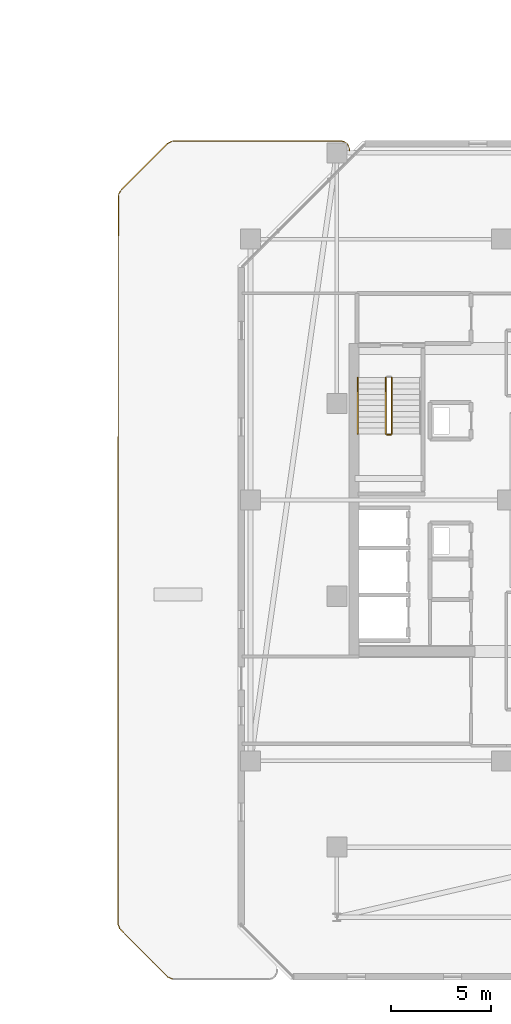
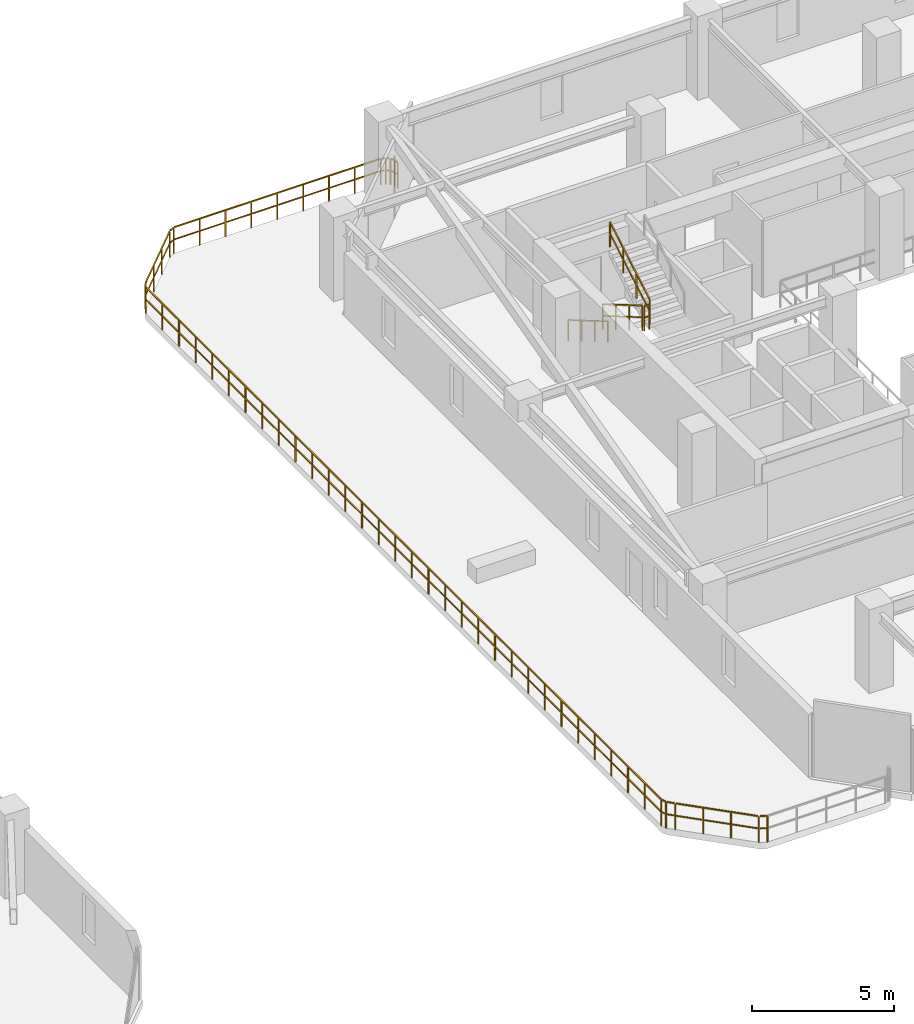
# One storey, part 28 of 29: 5 railings.
"""IFC4 building model written with IfcOpenShell, lengths in metres."""

from ifc_helpers import new_model, si_unit, direction, frame, origin, origin_2d, place, context, subcontext, project, spatial, rectangle, extrude, material, type_object, element, save


model = new_model("IFC4")

# Units and contexts
model_context = context("Model", 3, precision=1e-05, world=origin(), true_north=direction((0.0, 1.0)))
body_context = subcontext(model_context, "Body", "Model", "MODEL_VIEW")
ifc_project = project(units=[si_unit("LENGTHUNIT", "METRE"), si_unit("AREAUNIT", "SQUARE_METRE"), si_unit("VOLUMEUNIT", "CUBIC_METRE"), si_unit("PLANEANGLEUNIT", "RADIAN"), si_unit("MASSUNIT", "GRAM", prefix="KILO")], contexts=[model_context])

# Site, building, storey
site_placement = place(None, origin())
site = spatial("IfcSite", under=ifc_project, at=site_placement, CompositionType="ELEMENT")
building_placement = place(site_placement, origin())
building = spatial("IfcBuilding", under=site, at=building_placement, Name="Thornwick Lancets Civic Towers", CompositionType="ELEMENT")
storey_placement = place(building_placement, frame((0.0, 0.0, 229.5)))
storey = spatial("IfcBuildingStorey", under=building, at=storey_placement, Name="L61", CompositionType="ELEMENT", Elevation=229.5)

# Railings
ifc_material_1 = material(Name="Brushed stainless steel S355", Category="steel")
railing_type_1 = type_object("IfcRailingType", Name="RAIL_HANDRAIL", PredefinedType="HANDRAIL", material=ifc_material_1)
railing_1_placement = place(storey_placement, frame((76.550048828125, 33.10009765625, 0.16357421875)))
element("IfcRailing", 1, at=railing_1_placement, inside=storey, type_object=railing_type_1, Name="L61 ST-B2 stair handrail 1", PredefinedType="HANDRAIL", context=body_context, shape_type="SweptSolid", body=[
    extrude(rectangle(XDim=0.048095703125, YDim=0.048095703125, at=origin_2d()), frame((0.0, 0.0, 0.8857421875), z_axis=(0.0, -0.863360870873, 0.504586966384), x_axis=(1.0, 0.0, 0.0)), (0.0, 0.0, 1.0), 3.2431640625),
    extrude(rectangle(XDim=0.0419921875, YDim=0.0419921875, at=origin_2d()), origin(), (0.0, 0.0, 1.0), 0.855712890625),
    extrude(rectangle(XDim=0.0419921875, YDim=0.0419921875, at=origin_2d()), frame((0.0, -0.933349609375, 0.54541015625)), (0.0, 0.0, 1.0), 0.855712890625),
    extrude(rectangle(XDim=0.0419921875, YDim=0.0419921875, at=origin_2d()), frame((0.0, -1.86669921875, 1.091064453125)), (0.0, 0.0, 1.0), 0.855712890625),
    extrude(rectangle(XDim=0.0419921875, YDim=0.0419921875, at=origin_2d()), frame((0.0, -2.800048828125, 1.636474609375)), (0.0, 0.0, 1.0), 0.855712890625),
])
ifc_material_2 = material(Name="Steel S355JR", Category="steel")
railing_type_2 = type_object("IfcRailingType", Name="RAIL_STAIR_GUARD", PredefinedType="GUARDRAIL", material=ifc_material_2)
railing_2_placement = place(storey_placement, frame((77.949951171875, 33.10009765625, 0.16357421875)))
element("IfcRailing", 2, at=railing_2_placement, inside=storey, type_object=railing_type_2, Name="L61 ST-B2 stair guard 1", PredefinedType="GUARDRAIL", context=body_context, shape_type="SweptSolid", body=[
    extrude(rectangle(XDim=0.048095703125, YDim=0.048095703125, at=origin_2d()), frame((0.0, 0.0, 1.076171875), z_axis=(0.0, -0.863360870873, 0.504586966384), x_axis=(1.0, 0.0, 0.0)), (0.0, 0.0, 1.0), 3.2431640625),
    extrude(rectangle(XDim=0.0419921875, YDim=0.0419921875, at=origin_2d()), frame((0.0, -0.032470703125, 0.591064453125), z_axis=(0.0, -0.863360870873, 0.504586966384), x_axis=(1.0, 0.0, 0.0)), (0.0, 0.0, 1.0), 1.006103515625),
    extrude(rectangle(XDim=0.0419921875, YDim=0.0419921875, at=origin_2d()), frame((0.0, -0.9658203125, 1.136474609375), z_axis=(0.0, -0.863360870873, 0.504586966384), x_axis=(1.0, 0.0, 0.0)), (0.0, 0.0, 1.0), 1.006103515625),
    extrude(rectangle(XDim=0.0419921875, YDim=0.0419921875, at=origin_2d()), frame((0.0, -1.899169921875, 1.681884765625), z_axis=(0.0, -0.863360870873, 0.504586966384), x_axis=(1.0, 0.0, 0.0)), (0.0, 0.0, 1.0), 1.006103515625),
    extrude(rectangle(XDim=0.0419921875, YDim=0.0419921875, at=origin_2d()), origin(), (0.0, 0.0, 1.0), 1.0458984375),
    extrude(rectangle(XDim=0.0419921875, YDim=0.0419921875, at=origin_2d()), frame((0.0, -0.933349609375, 0.54541015625)), (0.0, 0.0, 1.0), 1.0458984375),
    extrude(rectangle(XDim=0.0419921875, YDim=0.0419921875, at=origin_2d()), frame((0.0, -1.86669921875, 1.091064453125)), (0.0, 0.0, 1.0), 1.0458984375),
    extrude(rectangle(XDim=0.0419921875, YDim=0.0419921875, at=origin_2d()), frame((0.0, -2.800048828125, 1.636474609375)), (0.0, 0.0, 1.0), 1.0458984375),
])
railing_3_placement = place(storey_placement, frame((78.0, 30.25, 1.800048828125)))
element("IfcRailing", 3, at=railing_3_placement, inside=storey, type_object=railing_type_2, Name="L61 ST-B2 stair guard 2", PredefinedType="GUARDRAIL", context=body_context, shape_type="SweptSolid", body=[
    extrude(rectangle(XDim=0.048095703125, YDim=0.048095703125, at=origin_2d()), frame((0.0, 0.0, 1.076171875), z_axis=(1.0, 0.0, 0.0), x_axis=(0.0, 1.0, 0.0)), (0.0, 0.0, 1.0), 0.199951171875),
    extrude(rectangle(XDim=0.0419921875, YDim=0.0419921875, at=origin_2d()), frame((0.03759765625, 0.0, 0.572021484375), z_axis=(1.0, 0.0, 0.0), x_axis=(0.0, 1.0, 0.0)), (0.0, 0.0, 1.0), 0.125),
    extrude(rectangle(XDim=0.0419921875, YDim=0.0419921875, at=origin_2d()), origin(), (0.0, 0.0, 1.0), 1.0458984375),
    extrude(rectangle(XDim=0.0419921875, YDim=0.0419921875, at=origin_2d()), frame((0.199951171875, 0.0, 0.0)), (0.0, 0.0, 1.0), 1.0458984375),
])
railing_4_placement = place(storey_placement, frame((78.25, 30.300048828125, 1.963623046875)))
element("IfcRailing", 4, at=railing_4_placement, inside=storey, type_object=railing_type_2, Name="L61 ST-B2 stair guard 3", PredefinedType="GUARDRAIL", context=body_context, shape_type="SweptSolid", body=[
    extrude(rectangle(XDim=0.048095703125, YDim=0.048095703125, at=origin_2d()), frame((0.0, 0.0, 1.076171875), z_axis=(0.0, 0.863360870873, 0.504586966384), x_axis=(-1.0, 0.0, 0.0)), (0.0, 0.0, 1.0), 3.2431640625),
    extrude(rectangle(XDim=0.0419921875, YDim=0.0419921875, at=origin_2d()), frame((0.0, 0.032470703125, 0.591064453125), z_axis=(0.0, 0.863360870873, 0.504586966384), x_axis=(-1.0, 0.0, 0.0)), (0.0, 0.0, 1.0), 1.006103515625),
    extrude(rectangle(XDim=0.0419921875, YDim=0.0419921875, at=origin_2d()), frame((0.0, 0.9658203125, 1.136474609375), z_axis=(0.0, 0.863360870873, 0.504586966384), x_axis=(-1.0, 0.0, 0.0)), (0.0, 0.0, 1.0), 1.006103515625),
    extrude(rectangle(XDim=0.0419921875, YDim=0.0419921875, at=origin_2d()), frame((0.0, 1.899169921875, 1.681884765625), z_axis=(0.0, 0.863360870873, 0.504586966384), x_axis=(-1.0, 0.0, 0.0)), (0.0, 0.0, 1.0), 1.006103515625),
    extrude(rectangle(XDim=0.0419921875, YDim=0.0419921875, at=origin_2d()), origin(), (0.0, 0.0, 1.0), 1.0458984375),
    extrude(rectangle(XDim=0.0419921875, YDim=0.0419921875, at=origin_2d()), frame((0.0, 0.933349609375, 0.54541015625)), (0.0, 0.0, 1.0), 1.0458984375),
    extrude(rectangle(XDim=0.0419921875, YDim=0.0419921875, at=origin_2d()), frame((0.0, 1.86669921875, 1.091064453125)), (0.0, 0.0, 1.0), 1.0458984375),
    extrude(rectangle(XDim=0.0419921875, YDim=0.0419921875, at=origin_2d()), frame((0.0, 2.800048828125, 1.636474609375)), (0.0, 0.0, 1.0), 1.0458984375),
])
ifc_material_3 = material(Name="Terracotta-capped laminated glass balustrade S355", Category="masonry")
railing_type_3 = type_object("IfcRailingType", Name="RAIL_TERR_GUARD", PredefinedType="GUARDRAIL", material=ifc_material_3)
railing_5_placement = place(storey_placement, frame((67.34228515625, 3.102294921875, 0.0)))
element("IfcRailing", 5, at=railing_5_placement, inside=storey, type_object=railing_type_3, Name="L61 Tower B Sky-Garden Guard 1 Part 1", PredefinedType="GUARDRAIL", context=body_context, shape_type="SweptSolid", body=[
    extrude(rectangle(XDim=0.048095703125, YDim=0.048095703125, at=origin_2d()), frame((0.0, 0.0, 1.1259765625), z_axis=(-0.904343633652, 0.426805098696, 0.0), x_axis=(-0.426805098696, -0.904343633652, 0.0)), (0.0, 0.0, 1.0), 0.27197265625),
    extrude(rectangle(XDim=0.0419921875, YDim=0.0419921875, at=origin_2d()), frame((-0.033935546875, 0.01611328125, 0.597900390625), z_axis=(-0.904343633652, 0.426805098696, 0.0), x_axis=(-0.426805098696, -0.904343633652, 0.0)), (0.0, 0.0, 1.0), 0.228271484375),
    extrude(rectangle(XDim=0.048095703125, YDim=0.048095703125, at=origin_2d()), frame((-0.29638671875, 0.151611328125, 1.1259765625), z_axis=(-0.707066859844, 0.707146700275, 0.0), x_axis=(-0.707146700275, -0.707066859844, 0.0)), (0.0, 0.0, 1.0), 2.995361328125),
    extrude(rectangle(XDim=0.0419921875, YDim=0.0419921875, at=origin_2d()), frame((-0.30078125, 0.156005859375, 0.597900390625), z_axis=(-0.707066859844, 0.707146700275, 0.0), x_axis=(-0.707146700275, -0.707066859844, 0.0)), (0.0, 0.0, 1.0), 0.9443359375),
    extrude(rectangle(XDim=0.0419921875, YDim=0.0419921875, at=origin_2d()), frame((-1.021484375, 0.876708984375, 0.597900390625), z_axis=(-0.707066859844, 0.707146700275, 0.0), x_axis=(-0.707146700275, -0.707066859844, 0.0)), (0.0, 0.0, 1.0), 0.9443359375),
    extrude(rectangle(XDim=0.0419921875, YDim=0.0419921875, at=origin_2d()), frame((-1.7421875, 1.597412109375, 0.597900390625), z_axis=(-0.707066859844, 0.707146700275, 0.0), x_axis=(-0.707146700275, -0.707066859844, 0.0)), (0.0, 0.0, 1.0), 0.9443359375),
    extrude(rectangle(XDim=0.048095703125, YDim=0.048095703125, at=origin_2d()), frame((-2.457763671875, 2.314453125, 1.1259765625), z_axis=(-0.688615109197, 0.725127044997, 0.0), x_axis=(-0.725127044997, -0.688615109197, 0.0)), (0.0, 0.0, 1.0), 0.271728515625),
    extrude(rectangle(XDim=0.0419921875, YDim=0.0419921875, at=origin_2d()), frame((-2.462158203125, 2.31884765625, 0.597900390625), z_axis=(-0.688615109197, 0.725127044997, 0.0), x_axis=(-0.725127044997, -0.688615109197, 0.0)), (0.0, 0.0, 1.0), 0.25927734375),
    extrude(rectangle(XDim=0.048095703125, YDim=0.048095703125, at=origin_2d()), frame((-2.677001953125, 2.563720703125, 1.1259765625), z_axis=(-0.336265625634, 0.941767184084, 0.0), x_axis=(-0.941767184084, -0.336265625634, 0.0)), (0.0, 0.0, 1.0), 0.156005859375),
    extrude(rectangle(XDim=0.0419921875, YDim=0.0419921875, at=origin_2d()), frame((-2.67919921875, 2.569580078125, 0.597900390625), z_axis=(-0.336265625634, 0.941767184084, 0.0), x_axis=(-0.941767184084, -0.336265625634, 0.0)), (0.0, 0.0, 1.0), 0.1435546875),
    extrude(rectangle(XDim=0.048095703125, YDim=0.048095703125, at=origin_2d()), frame((-2.739990234375, 2.771240234375, 1.1259765625), z_axis=(0.000174582175, 0.999999984761, 0.0), x_axis=(-0.999999984761, 0.000174582175, 0.0)), (0.0, 0.0, 1.0), 36.296630859375),
    extrude(rectangle(XDim=0.0419921875, YDim=0.0419921875, at=origin_2d()), frame((-2.739990234375, 2.777587890625, 0.597900390625), z_axis=(0.000174582175, 0.999999984761, 0.0), x_axis=(-0.999999984761, 0.000174582175, 0.0)), (0.0, 0.0, 1.0), 1.097900390625),
    extrude(rectangle(XDim=0.0419921875, YDim=0.0419921875, at=origin_2d()), frame((-2.73974609375, 3.950439453125, 0.597900390625), z_axis=(0.000174582175, 0.999999984761, 0.0), x_axis=(-0.999999984761, 0.000174582175, 0.0)), (0.0, 0.0, 1.0), 1.097900390625),
    extrude(rectangle(XDim=0.0419921875, YDim=0.0419921875, at=origin_2d()), frame((-2.739501953125, 5.123291015625, 0.597900390625), z_axis=(0.000174582175, 0.999999984761, 0.0), x_axis=(-0.999999984761, 0.000174582175, 0.0)), (0.0, 0.0, 1.0), 1.097900390625),
    extrude(rectangle(XDim=0.0419921875, YDim=0.0419921875, at=origin_2d()), frame((-2.7392578125, 6.296142578125, 0.597900390625), z_axis=(0.000174582175, 0.999999984761, 0.0), x_axis=(-0.999999984761, 0.000174582175, 0.0)), (0.0, 0.0, 1.0), 1.097900390625),
    extrude(rectangle(XDim=0.0419921875, YDim=0.0419921875, at=origin_2d()), frame((-2.7392578125, 7.468994140625, 0.597900390625), z_axis=(0.000174582175, 0.999999984761, 0.0), x_axis=(-0.999999984761, 0.000174582175, 0.0)), (0.0, 0.0, 1.0), 1.097900390625),
    extrude(rectangle(XDim=0.0419921875, YDim=0.0419921875, at=origin_2d()), frame((-2.739013671875, 8.641845703125, 0.597900390625), z_axis=(0.000174582175, 0.999999984761, 0.0), x_axis=(-0.999999984761, 0.000174582175, 0.0)), (0.0, 0.0, 1.0), 1.097900390625),
    extrude(rectangle(XDim=0.0419921875, YDim=0.0419921875, at=origin_2d()), frame((-2.73876953125, 9.814697265625, 0.597900390625), z_axis=(0.000174582175, 0.999999984761, 0.0), x_axis=(-0.999999984761, 0.000174582175, 0.0)), (0.0, 0.0, 1.0), 1.097900390625),
    extrude(rectangle(XDim=0.0419921875, YDim=0.0419921875, at=origin_2d()), frame((-2.738525390625, 10.987548828125, 0.597900390625), z_axis=(0.000174582175, 0.999999984761, 0.0), x_axis=(-0.999999984761, 0.000174582175, 0.0)), (0.0, 0.0, 1.0), 1.097900390625),
    extrude(rectangle(XDim=0.0419921875, YDim=0.0419921875, at=origin_2d()), frame((-2.73828125, 12.160400390625, 0.597900390625), z_axis=(0.000174582175, 0.999999984761, 0.0), x_axis=(-0.999999984761, 0.000174582175, 0.0)), (0.0, 0.0, 1.0), 1.097900390625),
    extrude(rectangle(XDim=0.0419921875, YDim=0.0419921875, at=origin_2d()), frame((-2.738037109375, 13.333251953125, 0.597900390625), z_axis=(0.000174582175, 0.999999984761, 0.0), x_axis=(-0.999999984761, 0.000174582175, 0.0)), (0.0, 0.0, 1.0), 1.097900390625),
    extrude(rectangle(XDim=0.0419921875, YDim=0.0419921875, at=origin_2d()), frame((-2.738037109375, 14.50634765625, 0.597900390625), z_axis=(0.000174582175, 0.999999984761, 0.0), x_axis=(-0.999999984761, 0.000174582175, 0.0)), (0.0, 0.0, 1.0), 1.097900390625),
    extrude(rectangle(XDim=0.0419921875, YDim=0.0419921875, at=origin_2d()), frame((-2.73779296875, 15.67919921875, 0.597900390625), z_axis=(0.000174582175, 0.999999984761, 0.0), x_axis=(-0.999999984761, 0.000174582175, 0.0)), (0.0, 0.0, 1.0), 1.097900390625),
    extrude(rectangle(XDim=0.0419921875, YDim=0.0419921875, at=origin_2d()), frame((-2.737548828125, 16.85205078125, 0.597900390625), z_axis=(0.000174582175, 0.999999984761, 0.0), x_axis=(-0.999999984761, 0.000174582175, 0.0)), (0.0, 0.0, 1.0), 1.097900390625),
    extrude(rectangle(XDim=0.0419921875, YDim=0.0419921875, at=origin_2d()), frame((-2.7373046875, 18.02490234375, 0.597900390625), z_axis=(0.000174582175, 0.999999984761, 0.0), x_axis=(-0.999999984761, 0.000174582175, 0.0)), (0.0, 0.0, 1.0), 1.097900390625),
    extrude(rectangle(XDim=0.0419921875, YDim=0.0419921875, at=origin_2d()), frame((-2.737060546875, 19.19775390625, 0.597900390625), z_axis=(0.000174582175, 0.999999984761, 0.0), x_axis=(-0.999999984761, 0.000174582175, 0.0)), (0.0, 0.0, 1.0), 1.097900390625),
    extrude(rectangle(XDim=0.0419921875, YDim=0.0419921875, at=origin_2d()), frame((-2.73681640625, 20.37060546875, 0.597900390625), z_axis=(0.000174582175, 0.999999984761, 0.0), x_axis=(-0.999999984761, 0.000174582175, 0.0)), (0.0, 0.0, 1.0), 1.097900390625),
    extrude(rectangle(XDim=0.0419921875, YDim=0.0419921875, at=origin_2d()), frame((-2.73681640625, 21.54345703125, 0.597900390625), z_axis=(0.000174582175, 0.999999984761, 0.0), x_axis=(-0.999999984761, 0.000174582175, 0.0)), (0.0, 0.0, 1.0), 1.097900390625),
    extrude(rectangle(XDim=0.0419921875, YDim=0.0419921875, at=origin_2d()), frame((-2.736572265625, 22.71630859375, 0.597900390625), z_axis=(0.000174582175, 0.999999984761, 0.0), x_axis=(-0.999999984761, 0.000174582175, 0.0)), (0.0, 0.0, 1.0), 1.097900390625),
    extrude(rectangle(XDim=0.0419921875, YDim=0.0419921875, at=origin_2d()), frame((-2.736328125, 23.88916015625, 0.597900390625), z_axis=(0.000174582175, 0.999999984761, 0.0), x_axis=(-0.999999984761, 0.000174582175, 0.0)), (0.0, 0.0, 1.0), 1.097900390625),
    extrude(rectangle(XDim=0.0419921875, YDim=0.0419921875, at=origin_2d()), frame((-2.736083984375, 25.06201171875, 0.597900390625), z_axis=(0.000174582175, 0.999999984761, 0.0), x_axis=(-0.999999984761, 0.000174582175, 0.0)), (0.0, 0.0, 1.0), 1.097900390625),
    extrude(rectangle(XDim=0.0419921875, YDim=0.0419921875, at=origin_2d()), frame((-2.73583984375, 26.235107421875, 0.597900390625), z_axis=(0.000174582175, 0.999999984761, 0.0), x_axis=(-0.999999984761, 0.000174582175, 0.0)), (0.0, 0.0, 1.0), 1.097900390625),
    extrude(rectangle(XDim=0.0419921875, YDim=0.0419921875, at=origin_2d()), frame((-2.735595703125, 27.407958984375, 0.597900390625), z_axis=(0.000174582175, 0.999999984761, 0.0), x_axis=(-0.999999984761, 0.000174582175, 0.0)), (0.0, 0.0, 1.0), 1.097900390625),
    extrude(rectangle(XDim=0.0419921875, YDim=0.0419921875, at=origin_2d()), frame((-2.735595703125, 28.580810546875, 0.597900390625), z_axis=(0.000174582175, 0.999999984761, 0.0), x_axis=(-0.999999984761, 0.000174582175, 0.0)), (0.0, 0.0, 1.0), 1.097900390625),
    extrude(rectangle(XDim=0.0419921875, YDim=0.0419921875, at=origin_2d()), frame((-2.7353515625, 29.753662109375, 0.597900390625), z_axis=(0.000174582175, 0.999999984761, 0.0), x_axis=(-0.999999984761, 0.000174582175, 0.0)), (0.0, 0.0, 1.0), 1.097900390625),
    extrude(rectangle(XDim=0.0419921875, YDim=0.0419921875, at=origin_2d()), frame((-2.735107421875, 30.926513671875, 0.597900390625), z_axis=(0.000174582175, 0.999999984761, 0.0), x_axis=(-0.999999984761, 0.000174582175, 0.0)), (0.0, 0.0, 1.0), 1.097900390625),
    extrude(rectangle(XDim=0.0419921875, YDim=0.0419921875, at=origin_2d()), frame((-2.73486328125, 32.099365234375, 0.597900390625), z_axis=(0.000174582175, 0.999999984761, 0.0), x_axis=(-0.999999984761, 0.000174582175, 0.0)), (0.0, 0.0, 1.0), 1.097900390625),
    extrude(rectangle(XDim=0.0419921875, YDim=0.0419921875, at=origin_2d()), frame((-2.734619140625, 33.272216796875, 0.597900390625), z_axis=(0.000174582175, 0.999999984761, 0.0), x_axis=(-0.999999984761, 0.000174582175, 0.0)), (0.0, 0.0, 1.0), 1.097900390625),
    extrude(rectangle(XDim=0.0419921875, YDim=0.0419921875, at=origin_2d()), frame((-2.734375, 34.445068359375, 0.597900390625), z_axis=(0.000174582175, 0.999999984761, 0.0), x_axis=(-0.999999984761, 0.000174582175, 0.0)), (0.0, 0.0, 1.0), 1.097900390625),
    extrude(rectangle(XDim=0.0419921875, YDim=0.0419921875, at=origin_2d()), frame((-2.734130859375, 35.617919921875, 0.597900390625), z_axis=(0.000174582175, 0.999999984761, 0.0), x_axis=(-0.999999984761, 0.000174582175, 0.0)), (0.0, 0.0, 1.0), 1.097900390625),
    extrude(rectangle(XDim=0.0419921875, YDim=0.0419921875, at=origin_2d()), frame((-2.734130859375, 36.790771484375, 0.597900390625), z_axis=(0.000174582175, 0.999999984761, 0.0), x_axis=(-0.999999984761, 0.000174582175, 0.0)), (0.0, 0.0, 1.0), 1.097900390625),
    extrude(rectangle(XDim=0.0419921875, YDim=0.0419921875, at=origin_2d()), frame((-2.73388671875, 37.963623046875, 0.597900390625), z_axis=(0.000174582175, 0.999999984761, 0.0), x_axis=(-0.999999984761, 0.000174582175, 0.0)), (0.0, 0.0, 1.0), 1.097900390625),
    extrude(rectangle(XDim=0.048095703125, YDim=0.048095703125, at=origin_2d()), frame((-2.718994140625, 39.126708984375, 1.1259765625), z_axis=(0.470976207759, 0.882145912945, 0.0), x_axis=(-0.882145912945, 0.470976207759, 0.0)), (0.0, 0.0, 1.0), 0.19873046875),
    extrude(rectangle(XDim=0.0419921875, YDim=0.0419921875, at=origin_2d()), frame((-2.716064453125, 39.132080078125, 0.597900390625), z_axis=(0.470976207759, 0.882145912945, 0.0), x_axis=(-0.882145912945, 0.470976207759, 0.0)), (0.0, 0.0, 1.0), 0.186279296875),
    extrude(rectangle(XDim=0.048095703125, YDim=0.048095703125, at=origin_2d()), frame((-2.58837890625, 39.351806640625, 1.1259765625), z_axis=(0.707106781187, 0.707106781187, 0.0), x_axis=(-0.707106781187, 0.707106781187, 0.0)), (0.0, 0.0, 1.0), 3.24169921875),
    extrude(rectangle(XDim=0.0419921875, YDim=0.0419921875, at=origin_2d()), frame((-2.583984375, 39.356201171875, 0.597900390625), z_axis=(0.707106781187, 0.707106781187, 0.0), x_axis=(-0.707106781187, 0.707106781187, 0.0)), (0.0, 0.0, 1.0), 1.0263671875),
    extrude(rectangle(XDim=0.0419921875, YDim=0.0419921875, at=origin_2d()), frame((-1.80517578125, 40.135009765625, 0.597900390625), z_axis=(0.707106781187, 0.707106781187, 0.0), x_axis=(-0.707106781187, 0.707106781187, 0.0)), (0.0, 0.0, 1.0), 1.0263671875),
    extrude(rectangle(XDim=0.0419921875, YDim=0.0419921875, at=origin_2d()), frame((-1.0263671875, 40.913818359375, 0.597900390625), z_axis=(0.707106781187, 0.707106781187, 0.0), x_axis=(-0.707106781187, 0.707106781187, 0.0)), (0.0, 0.0, 1.0), 1.0263671875),
    extrude(rectangle(XDim=0.048095703125, YDim=0.048095703125, at=origin_2d()), frame((-0.24658203125, 41.6806640625, 1.1259765625), z_axis=(0.882145912945, 0.470976207759, 0.0), x_axis=(-0.470976207759, 0.882145912945, 0.0)), (0.0, 0.0, 1.0), 0.19873046875),
    extrude(rectangle(XDim=0.0419921875, YDim=0.0419921875, at=origin_2d()), frame((-0.2412109375, 41.68359375, 0.597900390625), z_axis=(0.882145912945, 0.470976207759, 0.0), x_axis=(-0.470976207759, 0.882145912945, 0.0)), (0.0, 0.0, 1.0), 0.186279296875),
    extrude(rectangle(XDim=0.048095703125, YDim=0.048095703125, at=origin_2d()), frame((-0.012451171875, 41.7890625, 1.1259765625), z_axis=(0.999999716569, 0.000752902807, 0.0), x_axis=(-0.000752902807, 0.999999716569, 0.0)), (0.0, 0.0, 1.0), 8.368408203125),
    extrude(rectangle(XDim=0.0419921875, YDim=0.0419921875, at=origin_2d()), frame((-0.006103515625, 41.7890625, 0.597900390625), z_axis=(0.999999716569, 0.000752902807, 0.0), x_axis=(-0.000752902807, 0.999999716569, 0.0)), (0.0, 0.0, 1.0), 0.978759765625),
    extrude(rectangle(XDim=0.0419921875, YDim=0.0419921875, at=origin_2d()), frame((1.047607421875, 41.789794921875, 0.597900390625), z_axis=(0.999999716569, 0.000752902807, 0.0), x_axis=(-0.000752902807, 0.999999716569, 0.0)), (0.0, 0.0, 1.0), 0.978759765625),
    extrude(rectangle(XDim=0.0419921875, YDim=0.0419921875, at=origin_2d()), frame((2.1015625, 41.790771484375, 0.597900390625), z_axis=(0.999999716569, 0.000752902807, 0.0), x_axis=(-0.000752902807, 0.999999716569, 0.0)), (0.0, 0.0, 1.0), 0.978759765625),
    extrude(rectangle(XDim=0.0419921875, YDim=0.0419921875, at=origin_2d()), frame((3.1552734375, 41.79150390625, 0.597900390625), z_axis=(0.999999716569, 0.000752902807, 0.0), x_axis=(-0.000752902807, 0.999999716569, 0.0)), (0.0, 0.0, 1.0), 0.978759765625),
    extrude(rectangle(XDim=0.0419921875, YDim=0.0419921875, at=origin_2d()), frame((4.209228515625, 41.792236328125, 0.597900390625), z_axis=(0.999999716569, 0.000752902807, 0.0), x_axis=(-0.000752902807, 0.999999716569, 0.0)), (0.0, 0.0, 1.0), 0.978759765625),
    extrude(rectangle(XDim=0.0419921875, YDim=0.0419921875, at=origin_2d()), frame((5.26318359375, 41.79296875, 0.597900390625), z_axis=(0.999999716569, 0.000752902807, 0.0), x_axis=(-0.000752902807, 0.999999716569, 0.0)), (0.0, 0.0, 1.0), 0.978759765625),
    extrude(rectangle(XDim=0.0419921875, YDim=0.0419921875, at=origin_2d()), frame((6.31689453125, 41.7939453125, 0.597900390625), z_axis=(0.999999716569, 0.000752902807, 0.0), x_axis=(-0.000752902807, 0.999999716569, 0.0)), (0.0, 0.0, 1.0), 0.978759765625),
    extrude(rectangle(XDim=0.0419921875, YDim=0.0419921875, at=origin_2d()), frame((7.370849609375, 41.794677734375, 0.597900390625), z_axis=(0.999999716569, 0.000752902807, 0.0), x_axis=(-0.000752902807, 0.999999716569, 0.0)), (0.0, 0.0, 1.0), 0.978759765625),
    extrude(rectangle(XDim=0.048095703125, YDim=0.048095703125, at=origin_2d()), frame((8.417236328125, 41.786376953125, 1.1259765625), z_axis=(0.957211427299, -0.289389501276, 0.0), x_axis=(0.289389501276, 0.957211427299, 0.0)), (0.0, 0.0, 1.0), 0.113037109375),
    extrude(rectangle(XDim=0.0419921875, YDim=0.0419921875, at=origin_2d()), frame((8.423095703125, 41.78466796875, 0.597900390625), z_axis=(0.957211427299, -0.289389501276, 0.0), x_axis=(0.289389501276, 0.957211427299, 0.0)), (0.0, 0.0, 1.0), 0.1005859375),
    extrude(rectangle(XDim=0.048095703125, YDim=0.048095703125, at=origin_2d()), frame((8.579345703125, 41.724853515625, 1.1259765625), z_axis=(0.773213238462, -0.634146109242, 0.0), x_axis=(0.634146109242, 0.773213238462, 0.0)), (0.0, 0.0, 1.0), 0.113037109375),
    extrude(rectangle(XDim=0.0419921875, YDim=0.0419921875, at=origin_2d()), frame((8.584228515625, 41.720947265625, 0.597900390625), z_axis=(0.773213238462, -0.634146109242, 0.0), x_axis=(0.634146109242, 0.773213238462, 0.0)), (0.0, 0.0, 1.0), 0.1005859375),
    extrude(rectangle(XDim=0.048095703125, YDim=0.048095703125, at=origin_2d()), frame((8.70556640625, 41.605712890625, 1.1259765625), z_axis=(0.470948722639, -0.882160586654, 0.0), x_axis=(0.882160586654, 0.470948722639, 0.0)), (0.0, 0.0, 1.0), 0.11328125),
    extrude(rectangle(XDim=0.0419921875, YDim=0.0419921875, at=origin_2d()), frame((8.70849609375, 41.600341796875, 0.597900390625), z_axis=(0.470948722639, -0.882160586654, 0.0), x_axis=(0.882160586654, 0.470948722639, 0.0)), (0.0, 0.0, 1.0), 0.100830078125),
    extrude(rectangle(XDim=0.048095703125, YDim=0.048095703125, at=origin_2d()), frame((8.776611328125, 41.447265625, 1.1259765625), z_axis=(0.094101126617, -0.99556264392, 0.0), x_axis=(0.99556264392, 0.094101126617, 0.0)), (0.0, 0.0, 1.0), 0.147705078125),
    extrude(rectangle(XDim=0.0419921875, YDim=0.0419921875, at=origin_2d()), frame((8.777099609375, 41.44091796875, 0.597900390625), z_axis=(0.094101126617, -0.99556264392, 0.0), x_axis=(0.99556264392, 0.094101126617, 0.0)), (0.0, 0.0, 1.0), 0.10400390625),
    extrude(rectangle(XDim=0.0419921875, YDim=0.0419921875, at=origin_2d()), origin(), (0.0, 0.0, 1.0), 1.095703125),
    extrude(rectangle(XDim=0.0419921875, YDim=0.0419921875, at=origin_2d()), frame((-0.274169921875, 0.12939453125, 0.0)), (0.0, 0.0, 1.0), 1.095703125),
    extrude(rectangle(XDim=0.0419921875, YDim=0.0419921875, at=origin_2d()), frame((-0.994873046875, 0.85009765625, 0.0)), (0.0, 0.0, 1.0), 1.095703125),
    extrude(rectangle(XDim=0.0419921875, YDim=0.0419921875, at=origin_2d()), frame((-1.715576171875, 1.571044921875, 0.0)), (0.0, 0.0, 1.0), 1.095703125),
    extrude(rectangle(XDim=0.0419921875, YDim=0.0419921875, at=origin_2d()), frame((-2.436279296875, 2.291748046875, 0.0)), (0.0, 0.0, 1.0), 1.095703125),
    extrude(rectangle(XDim=0.0419921875, YDim=0.0419921875, at=origin_2d()), frame((-2.66650390625, 2.5341796875, 0.0)), (0.0, 0.0, 1.0), 1.095703125),
    extrude(rectangle(XDim=0.0419921875, YDim=0.0419921875, at=origin_2d()), frame((-2.739990234375, 2.739990234375, 0.0)), (0.0, 0.0, 1.0), 1.095703125),
    extrude(rectangle(XDim=0.0419921875, YDim=0.0419921875, at=origin_2d()), frame((-2.73974609375, 3.912841796875, 0.0)), (0.0, 0.0, 1.0), 1.095703125),
    extrude(rectangle(XDim=0.0419921875, YDim=0.0419921875, at=origin_2d()), frame((-2.739501953125, 5.085693359375, 0.0)), (0.0, 0.0, 1.0), 1.095703125),
    extrude(rectangle(XDim=0.0419921875, YDim=0.0419921875, at=origin_2d()), frame((-2.7392578125, 6.258544921875, 0.0)), (0.0, 0.0, 1.0), 1.095703125),
    extrude(rectangle(XDim=0.0419921875, YDim=0.0419921875, at=origin_2d()), frame((-2.7392578125, 7.431396484375, 0.0)), (0.0, 0.0, 1.0), 1.095703125),
    extrude(rectangle(XDim=0.0419921875, YDim=0.0419921875, at=origin_2d()), frame((-2.739013671875, 8.604248046875, 0.0)), (0.0, 0.0, 1.0), 1.095703125),
    extrude(rectangle(XDim=0.0419921875, YDim=0.0419921875, at=origin_2d()), frame((-2.73876953125, 9.77734375, 0.0)), (0.0, 0.0, 1.0), 1.095703125),
    extrude(rectangle(XDim=0.0419921875, YDim=0.0419921875, at=origin_2d()), frame((-2.738525390625, 10.9501953125, 0.0)), (0.0, 0.0, 1.0), 1.095703125),
    extrude(rectangle(XDim=0.0419921875, YDim=0.0419921875, at=origin_2d()), frame((-2.73828125, 12.123046875, 0.0)), (0.0, 0.0, 1.0), 1.095703125),
    extrude(rectangle(XDim=0.0419921875, YDim=0.0419921875, at=origin_2d()), frame((-2.738037109375, 13.2958984375, 0.0)), (0.0, 0.0, 1.0), 1.095703125),
    extrude(rectangle(XDim=0.0419921875, YDim=0.0419921875, at=origin_2d()), frame((-2.738037109375, 14.46875, 0.0)), (0.0, 0.0, 1.0), 1.095703125),
    extrude(rectangle(XDim=0.0419921875, YDim=0.0419921875, at=origin_2d()), frame((-2.73779296875, 15.6416015625, 0.0)), (0.0, 0.0, 1.0), 1.095703125),
    extrude(rectangle(XDim=0.0419921875, YDim=0.0419921875, at=origin_2d()), frame((-2.737548828125, 16.814453125, 0.0)), (0.0, 0.0, 1.0), 1.095703125),
    extrude(rectangle(XDim=0.0419921875, YDim=0.0419921875, at=origin_2d()), frame((-2.7373046875, 17.9873046875, 0.0)), (0.0, 0.0, 1.0), 1.095703125),
    extrude(rectangle(XDim=0.0419921875, YDim=0.0419921875, at=origin_2d()), frame((-2.737060546875, 19.16015625, 0.0)), (0.0, 0.0, 1.0), 1.095703125),
    extrude(rectangle(XDim=0.0419921875, YDim=0.0419921875, at=origin_2d()), frame((-2.73681640625, 20.3330078125, 0.0)), (0.0, 0.0, 1.0), 1.095703125),
    extrude(rectangle(XDim=0.0419921875, YDim=0.0419921875, at=origin_2d()), frame((-2.73681640625, 21.506103515625, 0.0)), (0.0, 0.0, 1.0), 1.095703125),
    extrude(rectangle(XDim=0.0419921875, YDim=0.0419921875, at=origin_2d()), frame((-2.736572265625, 22.678955078125, 0.0)), (0.0, 0.0, 1.0), 1.095703125),
    extrude(rectangle(XDim=0.0419921875, YDim=0.0419921875, at=origin_2d()), frame((-2.736328125, 23.851806640625, 0.0)), (0.0, 0.0, 1.0), 1.095703125),
    extrude(rectangle(XDim=0.0419921875, YDim=0.0419921875, at=origin_2d()), frame((-2.736083984375, 25.024658203125, 0.0)), (0.0, 0.0, 1.0), 1.095703125),
    extrude(rectangle(XDim=0.0419921875, YDim=0.0419921875, at=origin_2d()), frame((-2.73583984375, 26.197509765625, 0.0)), (0.0, 0.0, 1.0), 1.095703125),
    extrude(rectangle(XDim=0.0419921875, YDim=0.0419921875, at=origin_2d()), frame((-2.735595703125, 27.370361328125, 0.0)), (0.0, 0.0, 1.0), 1.095703125),
    extrude(rectangle(XDim=0.0419921875, YDim=0.0419921875, at=origin_2d()), frame((-2.735595703125, 28.543212890625, 0.0)), (0.0, 0.0, 1.0), 1.095703125),
    extrude(rectangle(XDim=0.0419921875, YDim=0.0419921875, at=origin_2d()), frame((-2.7353515625, 29.716064453125, 0.0)), (0.0, 0.0, 1.0), 1.095703125),
    extrude(rectangle(XDim=0.0419921875, YDim=0.0419921875, at=origin_2d()), frame((-2.735107421875, 30.888916015625, 0.0)), (0.0, 0.0, 1.0), 1.095703125),
    extrude(rectangle(XDim=0.0419921875, YDim=0.0419921875, at=origin_2d()), frame((-2.73486328125, 32.061767578125, 0.0)), (0.0, 0.0, 1.0), 1.095703125),
    extrude(rectangle(XDim=0.0419921875, YDim=0.0419921875, at=origin_2d()), frame((-2.734619140625, 33.23486328125, 0.0)), (0.0, 0.0, 1.0), 1.095703125),
    extrude(rectangle(XDim=0.0419921875, YDim=0.0419921875, at=origin_2d()), frame((-2.734375, 34.40771484375, 0.0)), (0.0, 0.0, 1.0), 1.095703125),
    extrude(rectangle(XDim=0.0419921875, YDim=0.0419921875, at=origin_2d()), frame((-2.734375, 35.58056640625, 0.0)), (0.0, 0.0, 1.0), 1.095703125),
    extrude(rectangle(XDim=0.0419921875, YDim=0.0419921875, at=origin_2d()), frame((-2.734130859375, 36.75341796875, 0.0)), (0.0, 0.0, 1.0), 1.095703125),
    extrude(rectangle(XDim=0.0419921875, YDim=0.0419921875, at=origin_2d()), frame((-2.73388671875, 37.92626953125, 0.0)), (0.0, 0.0, 1.0), 1.095703125),
    extrude(rectangle(XDim=0.0419921875, YDim=0.0419921875, at=origin_2d()), frame((-2.733642578125, 39.09912109375, 0.0)), (0.0, 0.0, 1.0), 1.095703125),
    extrude(rectangle(XDim=0.0419921875, YDim=0.0419921875, at=origin_2d()), frame((-2.610595703125, 39.32958984375, 0.0)), (0.0, 0.0, 1.0), 1.095703125),
    extrude(rectangle(XDim=0.0419921875, YDim=0.0419921875, at=origin_2d()), frame((-1.831787109375, 40.1083984375, 0.0)), (0.0, 0.0, 1.0), 1.095703125),
    extrude(rectangle(XDim=0.0419921875, YDim=0.0419921875, at=origin_2d()), frame((-1.052978515625, 40.88720703125, 0.0)), (0.0, 0.0, 1.0), 1.095703125),
    extrude(rectangle(XDim=0.0419921875, YDim=0.0419921875, at=origin_2d()), frame((-0.274169921875, 41.666015625, 0.0)), (0.0, 0.0, 1.0), 1.095703125),
    extrude(rectangle(XDim=0.0419921875, YDim=0.0419921875, at=origin_2d()), frame((-0.043701171875, 41.7890625, 0.0)), (0.0, 0.0, 1.0), 1.095703125),
    extrude(rectangle(XDim=0.0419921875, YDim=0.0419921875, at=origin_2d()), frame((1.01025390625, 41.789794921875, 0.0)), (0.0, 0.0, 1.0), 1.095703125),
    extrude(rectangle(XDim=0.0419921875, YDim=0.0419921875, at=origin_2d()), frame((2.06396484375, 41.79052734375, 0.0)), (0.0, 0.0, 1.0), 1.095703125),
    extrude(rectangle(XDim=0.0419921875, YDim=0.0419921875, at=origin_2d()), frame((3.117919921875, 41.79150390625, 0.0)), (0.0, 0.0, 1.0), 1.095703125),
    extrude(rectangle(XDim=0.0419921875, YDim=0.0419921875, at=origin_2d()), frame((4.171875, 41.792236328125, 0.0)), (0.0, 0.0, 1.0), 1.095703125),
    extrude(rectangle(XDim=0.0419921875, YDim=0.0419921875, at=origin_2d()), frame((5.2255859375, 41.79296875, 0.0)), (0.0, 0.0, 1.0), 1.095703125),
    extrude(rectangle(XDim=0.0419921875, YDim=0.0419921875, at=origin_2d()), frame((6.279541015625, 41.7939453125, 0.0)), (0.0, 0.0, 1.0), 1.095703125),
    extrude(rectangle(XDim=0.0419921875, YDim=0.0419921875, at=origin_2d()), frame((7.333251953125, 41.794677734375, 0.0)), (0.0, 0.0, 1.0), 1.095703125),
    extrude(rectangle(XDim=0.0419921875, YDim=0.0419921875, at=origin_2d()), frame((8.38720703125, 41.79541015625, 0.0)), (0.0, 0.0, 1.0), 1.095703125),
    extrude(rectangle(XDim=0.0419921875, YDim=0.0419921875, at=origin_2d()), frame((8.55517578125, 41.74462890625, 0.0)), (0.0, 0.0, 1.0), 1.095703125),
    extrude(rectangle(XDim=0.0419921875, YDim=0.0419921875, at=origin_2d()), frame((8.69091796875, 41.63330078125, 0.0)), (0.0, 0.0, 1.0), 1.095703125),
    extrude(rectangle(XDim=0.0419921875, YDim=0.0419921875, at=origin_2d()), frame((8.773681640625, 41.478271484375, 0.0)), (0.0, 0.0, 1.0), 1.095703125),
    extrude(rectangle(XDim=0.0419921875, YDim=0.0419921875, at=origin_2d()), frame((8.79052734375, 41.300048828125, 0.0)), (0.0, 0.0, 1.0), 1.095703125),
])

save(model, "model.ifc")
